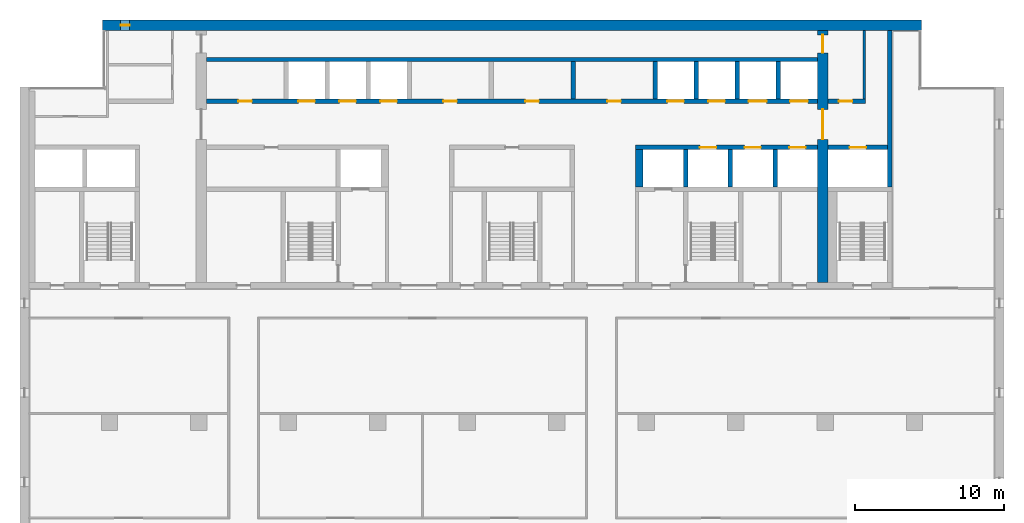
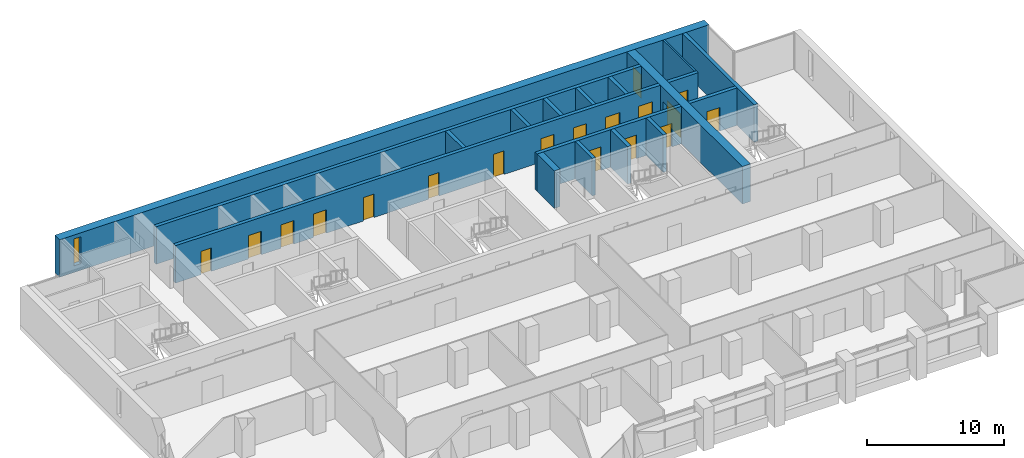
# One storey, part 11 of 17: 18 doors, 18 walls, 1 window, 19 openings.
"""IFC4 building model written with IfcOpenShell, lengths in metres."""

from ifc_helpers import new_model, si_unit, direction, frame, frame_2d, origin, place, context, subcontext, project, spatial, rectangle, extrude, material, layer, layer_set, type_object, element, fill, save


model = new_model("IFC4")

# Units and contexts
model_context = context("Model", 3, precision=1e-05, world=origin(), true_north=direction((0.0, 1.0)))
body_context = subcontext(model_context, "Body", "Model", "MODEL_VIEW")
ifc_project = project(units=[si_unit("LENGTHUNIT", "METRE"), si_unit("AREAUNIT", "SQUARE_METRE"), si_unit("VOLUMEUNIT", "CUBIC_METRE"), si_unit("PLANEANGLEUNIT", "RADIAN"), si_unit("MASSUNIT", "GRAM", prefix="KILO")], contexts=[model_context])

# Site, building, storey
site_placement = place(None, origin())
site = spatial("IfcSite", under=ifc_project, at=site_placement, CompositionType="ELEMENT")
building_placement = place(site_placement, origin())
building = spatial("IfcBuilding", under=site, at=building_placement, Name="Calvaro Tower", CompositionType="ELEMENT")
storey_placement = place(building_placement, frame((0.0, 0.0, 196.75)))
storey = spatial("IfcBuildingStorey", under=building, at=storey_placement, Name="L49", CompositionType="ELEMENT", Elevation=196.75)

# Wall
ifc_material_1 = material(Name="Blockwork partition", Category="masonry")
ifc_layer_1 = layer(ifc_material_1, 0.14990234375)
ifc_layer_set_1 = layer_set([ifc_layer_1], Name="Blockwork partition")
wall_type_1 = type_object("IfcWallType", Name="Core partition 150 REI 120", PredefinedType="PARTITIONING", material=ifc_layer_set_1)
wall_1_placement = place(storey_placement, frame((62.625, 40.699951171875, 0.0), z_axis=(0.0, 0.0, 1.0), x_axis=(0.0, 1.0, 0.0)))
element("IfcWall", 1, at=wall_1_placement, inside=storey, type_object=wall_type_1, Name="Core partition", PredefinedType="PARTITIONING", context=body_context, shape_type="SweptSolid", body=[
    extrude(rectangle(XDim=4.60009765625, YDim=0.14990234375, at=frame_2d((2.300048828125, 0.0))), origin(), (0.0, 0.0, 1.0), 3.35009765625),
])

# Wall, opening, door
ifc_material_2 = material(Name="Blockwork partition", Category="masonry")
ifc_layer_2 = layer(ifc_material_2, 0.300048828125)
ifc_layer_set_2 = layer_set([ifc_layer_2], Name="Blockwork partition")
wall_type_2 = type_object("IfcWallType", Name="Core partition 300 REI 120", PredefinedType="PARTITIONING", material=ifc_layer_set_2)
wall_2_placement = place(storey_placement, frame((60.199951171875, 40.550048828125, 0.0), z_axis=(0.0, 0.0, 1.0), x_axis=(1.0, 0.0, 0.0)))
wall_2 = element("IfcWall", 2, at=wall_2_placement, inside=storey, type_object=wall_type_2, Name="Core partition", PredefinedType="PARTITIONING", context=body_context, shape_type="SweptSolid", body=[
    extrude(rectangle(XDim=2.5, YDim=0.300048828125, at=frame_2d((1.25, 0.0))), origin(), (0.0, 0.0, 1.0), 3.35009765625),
])
opening_1_placement = place(wall_2_placement, frame((0.72509765625, 0.0, 0.0)))
opening_1 = element("IfcOpeningElement", 3, at=opening_1_placement, cuts=wall_2, Name="Opening RD9E", PredefinedType="OPENING", context=body_context, shape_type="SweptSolid", body=[
    extrude(rectangle(XDim=0.89990234375, YDim=2.10009765625, at=frame_2d((0.449951171875, 1.050048828125))), frame((0.0, 0.159912109375, 0.0), z_axis=(0.0, -1.0, 0.0), x_axis=(1.0, 0.0, 0.0)), (0.0, 0.0, 1.0), 0.320068359375),
])
ifc_material_3 = material(Name="Steel door set", Category="steel")
door_type_1 = type_object("IfcDoorType", Name="Room door 900 FD60", OperationType="SINGLE_SWING_LEFT", PredefinedType="DOOR", material=ifc_material_3)
door_1_placement = place(opening_1_placement, origin())
door_1 = element("IfcDoor", 4, at=door_1_placement, inside=storey, type_object=door_type_1, Name="Room door", OperationType="SINGLE_SWING_LEFT", OverallHeight=2.10009765625, OverallWidth=0.89990234375, PredefinedType="DOOR", context=body_context, shape_type="SweptSolid", body=[
    extrude(rectangle(XDim=0.89990234375, YDim=2.10009765625, at=frame_2d((0.449951171875, 1.050048828125))), frame((0.0, 0.02490234375, 0.0), z_axis=(0.0, -1.0, 0.0), x_axis=(1.0, 0.0, 0.0)), (0.0, 0.0, 1.0), 0.050048828125),
])
fill(opening_1, door_1)

# Walls
wall_3_placement = place(storey_placement, frame((43.10009765625, 40.699951171875, 0.0), z_axis=(0.0, 0.0, 1.0), x_axis=(0.0, 1.0, 0.0)))
element("IfcWall", 5, at=wall_3_placement, inside=storey, type_object=wall_type_2, Name="Core partition", PredefinedType="PARTITIONING", context=body_context, shape_type="SweptSolid", body=[
    extrude(rectangle(XDim=2.5, YDim=0.300048828125, at=frame_2d((1.25, 0.0))), origin(), (0.0, 0.0, 1.0), 3.35009765625),
])
ifc_material_4 = material(Name="Concrete C50/60", Category="concrete")
ifc_layer_3 = layer(ifc_material_4, 0.300048828125)
ifc_layer_set_3 = layer_set([ifc_layer_3], Name="Concrete C50/60")
wall_type_3 = type_object("IfcWallType", Name="Core wall C50/60 300", PredefinedType="SHEAR", material=ifc_layer_set_3)
wall_4_placement = place(storey_placement, frame((64.35009765625, 34.800048828125, 0.0), z_axis=(0.0, 0.0, 1.0), x_axis=(0.0, 1.0, 0.0)))
element("IfcWall", 6, at=wall_4_placement, inside=storey, type_object=wall_type_3, Name="Core wall, boundary", PredefinedType="SHEAR", context=body_context, shape_type="SweptSolid", body=[
    extrude(rectangle(XDim=10.5, YDim=0.300048828125, at=frame_2d((5.25, 0.0))), origin(), (0.0, 0.0, 1.0), 3.35009765625),
])

# Wall, openings, doors
wall_5_placement = place(storey_placement, frame((47.300048828125, 37.449951171875, 0.0), z_axis=(0.0, 0.0, 1.0), x_axis=(1.0, 0.0, 0.0)))
wall_5 = element("IfcWall", 7, at=wall_5_placement, inside=storey, type_object=wall_type_3, Name="Core wall, lift shaft", PredefinedType="SHEAR", context=body_context, shape_type="SweptSolid", body=[
    extrude(rectangle(XDim=12.199951171875, YDim=0.300048828125, at=frame_2d((6.10009765625, 0.0))), origin(), (0.0, 0.0, 1.0), 3.35009765625),
])
opening_2_placement = place(wall_5_placement, frame((4.300048828125, 0.0, 0.0)))
opening_2 = element("IfcOpeningElement", 8, at=opening_2_placement, cuts=wall_5, Name="Opening HR1", PredefinedType="OPENING", context=body_context, shape_type="SweptSolid", body=[
    extrude(rectangle(XDim=1.10009765625, YDim=2.10009765625, at=frame_2d((0.550048828125, 1.050048828125))), frame((0.0, 0.159912109375, 0.0), z_axis=(0.0, -1.0, 0.0), x_axis=(1.0, 0.0, 0.0)), (0.0, 0.0, 1.0), 0.320068359375),
])
opening_3_placement = place(wall_5_placement, frame((7.300048828125, 0.0, 0.0)))
opening_3 = element("IfcOpeningElement", 9, at=opening_3_placement, cuts=wall_5, Name="Opening HR2", PredefinedType="OPENING", context=body_context, shape_type="SweptSolid", body=[
    extrude(rectangle(XDim=1.10009765625, YDim=2.10009765625, at=frame_2d((0.550048828125, 1.050048828125))), frame((0.0, 0.159912109375, 0.0), z_axis=(0.0, -1.0, 0.0), x_axis=(1.0, 0.0, 0.0)), (0.0, 0.0, 1.0), 0.320068359375),
])
opening_4_placement = place(wall_5_placement, frame((10.300048828125, 0.0, 0.0)))
opening_4 = element("IfcOpeningElement", 10, at=opening_4_placement, cuts=wall_5, Name="Opening HR3", PredefinedType="OPENING", context=body_context, shape_type="SweptSolid", body=[
    extrude(rectangle(XDim=1.10009765625, YDim=2.10009765625, at=frame_2d((0.550048828125, 1.050048828125))), frame((0.0, 0.159912109375, 0.0), z_axis=(0.0, -1.0, 0.0), x_axis=(1.0, 0.0, 0.0)), (0.0, 0.0, 1.0), 0.320068359375),
])
ifc_material_5 = material(Name="Stainless steel", Category="steel")
door_type_2 = type_object("IfcDoorType", Name="Landing door 1100 E 60", OperationType="SLIDING_TO_LEFT", PredefinedType="DOOR", material=ifc_material_5)
door_2_placement = place(opening_2_placement, origin())
door_2 = element("IfcDoor", 11, at=door_2_placement, inside=storey, type_object=door_type_2, Name="Landing door HR1", OperationType="SLIDING_TO_LEFT", OverallHeight=2.10009765625, OverallWidth=1.10009765625, PredefinedType="DOOR", context=body_context, shape_type="SweptSolid", body=[
    extrude(rectangle(XDim=1.10009765625, YDim=2.10009765625, at=frame_2d((0.550048828125, 1.050048828125))), frame((0.0, 0.02490234375, 0.0), z_axis=(0.0, -1.0, 0.0), x_axis=(1.0, 0.0, 0.0)), (0.0, 0.0, 1.0), 0.050048828125),
])
fill(opening_2, door_2)
door_3_placement = place(opening_3_placement, origin())
door_3 = element("IfcDoor", 12, at=door_3_placement, inside=storey, type_object=door_type_2, Name="Landing door HR2", OperationType="SLIDING_TO_LEFT", OverallHeight=2.10009765625, OverallWidth=1.10009765625, PredefinedType="DOOR", context=body_context, shape_type="SweptSolid", body=[
    extrude(rectangle(XDim=1.10009765625, YDim=2.10009765625, at=frame_2d((0.550048828125, 1.050048828125))), frame((0.0, 0.02490234375, 0.0), z_axis=(0.0, -1.0, 0.0), x_axis=(1.0, 0.0, 0.0)), (0.0, 0.0, 1.0), 0.050048828125),
])
fill(opening_3, door_3)
door_4_placement = place(opening_4_placement, origin())
door_4 = element("IfcDoor", 13, at=door_4_placement, inside=storey, type_object=door_type_2, Name="Landing door HR3", OperationType="SLIDING_TO_LEFT", OverallHeight=2.10009765625, OverallWidth=1.10009765625, PredefinedType="DOOR", context=body_context, shape_type="SweptSolid", body=[
    extrude(rectangle(XDim=1.10009765625, YDim=2.10009765625, at=frame_2d((0.550048828125, 1.050048828125))), frame((0.0, 0.02490234375, 0.0), z_axis=(0.0, -1.0, 0.0), x_axis=(1.0, 0.0, 0.0)), (0.0, 0.0, 1.0), 0.050048828125),
])
fill(opening_4, door_4)

# Wall, opening, door
wall_6_placement = place(storey_placement, frame((60.199951171875, 37.449951171875, 0.0), z_axis=(0.0, 0.0, 1.0), x_axis=(1.0, 0.0, 0.0)))
wall_6 = element("IfcWall", 14, at=wall_6_placement, inside=storey, type_object=wall_type_3, Name="Core wall, lift shaft", PredefinedType="SHEAR", context=body_context, shape_type="SweptSolid", body=[
    extrude(rectangle(XDim=4.0, YDim=0.300048828125, at=frame_2d((2.0, 0.0))), origin(), (0.0, 0.0, 1.0), 3.35009765625),
])
opening_5_placement = place(wall_6_placement, frame((1.449951171875, 0.0, 0.0)))
opening_5 = element("IfcOpeningElement", 15, at=opening_5_placement, cuts=wall_6, Name="Opening FF3", PredefinedType="OPENING", context=body_context, shape_type="SweptSolid", body=[
    extrude(rectangle(XDim=1.10009765625, YDim=2.10009765625, at=frame_2d((0.550048828125, 1.050048828125))), frame((0.0, 0.159912109375, 0.0), z_axis=(0.0, -1.0, 0.0), x_axis=(1.0, 0.0, 0.0)), (0.0, 0.0, 1.0), 0.320068359375),
])
door_5_placement = place(opening_5_placement, origin())
door_5 = element("IfcDoor", 16, at=door_5_placement, inside=storey, type_object=door_type_2, Name="Landing door FF3", OperationType="SLIDING_TO_LEFT", OverallHeight=2.10009765625, OverallWidth=1.10009765625, PredefinedType="DOOR", context=body_context, shape_type="SweptSolid", body=[
    extrude(rectangle(XDim=1.10009765625, YDim=2.10009765625, at=frame_2d((0.550048828125, 1.050048828125))), frame((0.0, 0.02490234375, 0.0), z_axis=(0.0, -1.0, 0.0), x_axis=(1.0, 0.0, 0.0)), (0.0, 0.0, 1.0), 0.050048828125),
])
fill(opening_5, door_5)

# Wall
wall_7_placement = place(storey_placement, frame((50.64990234375, 34.800048828125, 0.0), z_axis=(0.0, 0.0, 1.0), x_axis=(0.0, 1.0, 0.0)))
element("IfcWall", 17, at=wall_7_placement, inside=storey, type_object=wall_type_3, Name="Core wall, lift shaft", PredefinedType="SHEAR", context=body_context, shape_type="SweptSolid", body=[
    extrude(rectangle(XDim=2.5, YDim=0.300048828125, at=frame_2d((1.25, 0.0))), origin(), (0.0, 0.0, 1.0), 3.35009765625),
])

# Wall, openings, doors
wall_8_placement = place(storey_placement, frame((18.5, 40.550048828125, 0.0), z_axis=(0.0, 0.0, 1.0), x_axis=(1.0, 0.0, 0.0)))
wall_8 = element("IfcWall", 18, at=wall_8_placement, inside=storey, type_object=wall_type_3, Name="Core wall, bay", PredefinedType="SHEAR", context=body_context, shape_type="SweptSolid", body=[
    extrude(rectangle(XDim=41.0, YDim=0.300048828125, at=frame_2d((20.5, 0.0))), origin(), (0.0, 0.0, 1.0), 3.35009765625),
])
opening_6_placement = place(wall_8_placement, frame((2.14990234375, 0.0, 0.0)))
opening_6 = element("IfcOpeningElement", 19, at=opening_6_placement, cuts=wall_8, Name="Opening RD9E", PredefinedType="OPENING", context=body_context, shape_type="SweptSolid", body=[
    extrude(rectangle(XDim=0.89990234375, YDim=2.10009765625, at=frame_2d((0.449951171875, 1.050048828125))), frame((0.0, 0.159912109375, 0.0), z_axis=(0.0, -1.0, 0.0), x_axis=(1.0, 0.0, 0.0)), (0.0, 0.0, 1.0), 0.320068359375),
])
opening_7_placement = place(wall_8_placement, frame((15.89990234375, 0.0, 0.0)))
opening_7 = element("IfcOpeningElement", 20, at=opening_7_placement, cuts=wall_8, Name="Opening RD9E", PredefinedType="OPENING", context=body_context, shape_type="SweptSolid", body=[
    extrude(rectangle(XDim=0.89990234375, YDim=2.10009765625, at=frame_2d((0.449951171875, 1.050048828125))), frame((0.0, 0.159912109375, 0.0), z_axis=(0.0, -1.0, 0.0), x_axis=(1.0, 0.0, 0.0)), (0.0, 0.0, 1.0), 0.320068359375),
])
opening_8_placement = place(wall_8_placement, frame((21.39990234375, 0.0, 0.0)))
opening_8 = element("IfcOpeningElement", 21, at=opening_8_placement, cuts=wall_8, Name="Opening RD9E", PredefinedType="OPENING", context=body_context, shape_type="SweptSolid", body=[
    extrude(rectangle(XDim=0.89990234375, YDim=2.10009765625, at=frame_2d((0.449951171875, 1.050048828125))), frame((0.0, 0.159912109375, 0.0), z_axis=(0.0, -1.0, 0.0), x_axis=(1.0, 0.0, 0.0)), (0.0, 0.0, 1.0), 0.320068359375),
])
opening_9_placement = place(wall_8_placement, frame((26.89990234375, 0.0, 0.0)))
opening_9 = element("IfcOpeningElement", 22, at=opening_9_placement, cuts=wall_8, Name="Opening RD9E", PredefinedType="OPENING", context=body_context, shape_type="SweptSolid", body=[
    extrude(rectangle(XDim=0.89990234375, YDim=2.10009765625, at=frame_2d((0.449951171875, 1.050048828125))), frame((0.0, 0.159912109375, 0.0), z_axis=(0.0, -1.0, 0.0), x_axis=(1.0, 0.0, 0.0)), (0.0, 0.0, 1.0), 0.320068359375),
])
opening_10_placement = place(wall_8_placement, frame((6.175048828125, 0.0, 0.0)))
opening_10 = element("IfcOpeningElement", 23, at=opening_10_placement, cuts=wall_8, Name="Opening HR4", PredefinedType="OPENING", context=body_context, shape_type="SweptSolid", body=[
    extrude(rectangle(XDim=1.10009765625, YDim=2.10009765625, at=frame_2d((0.550048828125, 1.050048828125))), frame((0.0, 0.159912109375, 0.0), z_axis=(0.0, -1.0, 0.0), x_axis=(1.0, 0.0, 0.0)), (0.0, 0.0, 1.0), 0.320068359375),
])
opening_11_placement = place(wall_8_placement, frame((8.925048828125, 0.0, 0.0)))
opening_11 = element("IfcOpeningElement", 24, at=opening_11_placement, cuts=wall_8, Name="Opening HR5", PredefinedType="OPENING", context=body_context, shape_type="SweptSolid", body=[
    extrude(rectangle(XDim=1.10009765625, YDim=2.10009765625, at=frame_2d((0.550048828125, 1.050048828125))), frame((0.0, 0.159912109375, 0.0), z_axis=(0.0, -1.0, 0.0), x_axis=(1.0, 0.0, 0.0)), (0.0, 0.0, 1.0), 0.320068359375),
])
opening_12_placement = place(wall_8_placement, frame((11.675048828125, 0.0, 0.0)))
opening_12 = element("IfcOpeningElement", 25, at=opening_12_placement, cuts=wall_8, Name="Opening HR6", PredefinedType="OPENING", context=body_context, shape_type="SweptSolid", body=[
    extrude(rectangle(XDim=1.10009765625, YDim=2.10009765625, at=frame_2d((0.550048828125, 1.050048828125))), frame((0.0, 0.159912109375, 0.0), z_axis=(0.0, -1.0, 0.0), x_axis=(1.0, 0.0, 0.0)), (0.0, 0.0, 1.0), 0.320068359375),
])
opening_13_placement = place(wall_8_placement, frame((30.925048828125, 0.0, 0.0)))
opening_13 = element("IfcOpeningElement", 26, at=opening_13_placement, cuts=wall_8, Name="Opening HR7", PredefinedType="OPENING", context=body_context, shape_type="SweptSolid", body=[
    extrude(rectangle(XDim=1.10009765625, YDim=2.10009765625, at=frame_2d((0.550048828125, 1.050048828125))), frame((0.0, 0.159912109375, 0.0), z_axis=(0.0, -1.0, 0.0), x_axis=(1.0, 0.0, 0.0)), (0.0, 0.0, 1.0), 0.320068359375),
])
opening_14_placement = place(wall_8_placement, frame((33.675048828125, 0.0, 0.0)))
opening_14 = element("IfcOpeningElement", 27, at=opening_14_placement, cuts=wall_8, Name="Opening HR8", PredefinedType="OPENING", context=body_context, shape_type="SweptSolid", body=[
    extrude(rectangle(XDim=1.10009765625, YDim=2.10009765625, at=frame_2d((0.550048828125, 1.050048828125))), frame((0.0, 0.159912109375, 0.0), z_axis=(0.0, -1.0, 0.0), x_axis=(1.0, 0.0, 0.0)), (0.0, 0.0, 1.0), 0.320068359375),
])
opening_15_placement = place(wall_8_placement, frame((36.375, 0.0, 0.0)))
opening_15 = element("IfcOpeningElement", 28, at=opening_15_placement, cuts=wall_8, Name="Opening SV1", PredefinedType="OPENING", context=body_context, shape_type="SweptSolid", body=[
    extrude(rectangle(XDim=1.199951171875, YDim=2.10009765625, at=frame_2d((0.60009765625, 1.050048828125))), frame((0.0, 0.159912109375, 0.0), z_axis=(0.0, -1.0, 0.0), x_axis=(1.0, 0.0, 0.0)), (0.0, 0.0, 1.0), 0.320068359375),
])
opening_16_placement = place(wall_8_placement, frame((39.14990234375, 0.0, 0.0)))
opening_16 = element("IfcOpeningElement", 29, at=opening_16_placement, cuts=wall_8, Name="Opening SV2", PredefinedType="OPENING", context=body_context, shape_type="SweptSolid", body=[
    extrude(rectangle(XDim=1.199951171875, YDim=2.10009765625, at=frame_2d((0.60009765625, 1.050048828125))), frame((0.0, 0.159912109375, 0.0), z_axis=(0.0, -1.0, 0.0), x_axis=(1.0, 0.0, 0.0)), (0.0, 0.0, 1.0), 0.320068359375),
])
door_6_placement = place(opening_10_placement, origin())
door_6 = element("IfcDoor", 30, at=door_6_placement, inside=storey, type_object=door_type_2, Name="Landing door HR4", OperationType="SLIDING_TO_LEFT", OverallHeight=2.10009765625, OverallWidth=1.10009765625, PredefinedType="DOOR", context=body_context, shape_type="SweptSolid", body=[
    extrude(rectangle(XDim=1.10009765625, YDim=2.10009765625, at=frame_2d((0.550048828125, 1.050048828125))), frame((0.0, 0.02490234375, 0.0), z_axis=(0.0, -1.0, 0.0), x_axis=(1.0, 0.0, 0.0)), (0.0, 0.0, 1.0), 0.050048828125),
])
fill(opening_10, door_6)
door_7_placement = place(opening_11_placement, origin())
door_7 = element("IfcDoor", 31, at=door_7_placement, inside=storey, type_object=door_type_2, Name="Landing door HR5", OperationType="SLIDING_TO_LEFT", OverallHeight=2.10009765625, OverallWidth=1.10009765625, PredefinedType="DOOR", context=body_context, shape_type="SweptSolid", body=[
    extrude(rectangle(XDim=1.10009765625, YDim=2.10009765625, at=frame_2d((0.550048828125, 1.050048828125))), frame((0.0, 0.02490234375, 0.0), z_axis=(0.0, -1.0, 0.0), x_axis=(1.0, 0.0, 0.0)), (0.0, 0.0, 1.0), 0.050048828125),
])
fill(opening_11, door_7)
door_8_placement = place(opening_12_placement, origin())
door_8 = element("IfcDoor", 32, at=door_8_placement, inside=storey, type_object=door_type_2, Name="Landing door HR6", OperationType="SLIDING_TO_LEFT", OverallHeight=2.10009765625, OverallWidth=1.10009765625, PredefinedType="DOOR", context=body_context, shape_type="SweptSolid", body=[
    extrude(rectangle(XDim=1.10009765625, YDim=2.10009765625, at=frame_2d((0.550048828125, 1.050048828125))), frame((0.0, 0.02490234375, 0.0), z_axis=(0.0, -1.0, 0.0), x_axis=(1.0, 0.0, 0.0)), (0.0, 0.0, 1.0), 0.050048828125),
])
fill(opening_12, door_8)
door_9_placement = place(opening_13_placement, origin())
door_9 = element("IfcDoor", 33, at=door_9_placement, inside=storey, type_object=door_type_2, Name="Landing door HR7", OperationType="SLIDING_TO_LEFT", OverallHeight=2.10009765625, OverallWidth=1.10009765625, PredefinedType="DOOR", context=body_context, shape_type="SweptSolid", body=[
    extrude(rectangle(XDim=1.10009765625, YDim=2.10009765625, at=frame_2d((0.550048828125, 1.050048828125))), frame((0.0, 0.02490234375, 0.0), z_axis=(0.0, -1.0, 0.0), x_axis=(1.0, 0.0, 0.0)), (0.0, 0.0, 1.0), 0.050048828125),
])
fill(opening_13, door_9)
door_10_placement = place(opening_14_placement, origin())
door_10 = element("IfcDoor", 34, at=door_10_placement, inside=storey, type_object=door_type_2, Name="Landing door HR8", OperationType="SLIDING_TO_LEFT", OverallHeight=2.10009765625, OverallWidth=1.10009765625, PredefinedType="DOOR", context=body_context, shape_type="SweptSolid", body=[
    extrude(rectangle(XDim=1.10009765625, YDim=2.10009765625, at=frame_2d((0.550048828125, 1.050048828125))), frame((0.0, 0.02490234375, 0.0), z_axis=(0.0, -1.0, 0.0), x_axis=(1.0, 0.0, 0.0)), (0.0, 0.0, 1.0), 0.050048828125),
])
fill(opening_14, door_10)
ifc_material_6 = material(Name="Stainless steel", Category="steel")
door_type_3 = type_object("IfcDoorType", Name="Landing door 1200 E 60", OperationType="SLIDING_TO_LEFT", PredefinedType="DOOR", material=ifc_material_6)
door_11_placement = place(opening_15_placement, origin())
door_11 = element("IfcDoor", 35, at=door_11_placement, inside=storey, type_object=door_type_3, Name="Landing door SV1", OperationType="SLIDING_TO_LEFT", OverallHeight=2.10009765625, OverallWidth=1.199951171875, PredefinedType="DOOR", context=body_context, shape_type="SweptSolid", body=[
    extrude(rectangle(XDim=1.199951171875, YDim=2.10009765625, at=frame_2d((0.60009765625, 1.050048828125))), frame((0.0, 0.02490234375, 0.0), z_axis=(0.0, -1.0, 0.0), x_axis=(1.0, 0.0, 0.0)), (0.0, 0.0, 1.0), 0.050048828125),
])
fill(opening_15, door_11)
door_12_placement = place(opening_16_placement, origin())
door_12 = element("IfcDoor", 36, at=door_12_placement, inside=storey, type_object=door_type_3, Name="Landing door SV2", OperationType="SLIDING_TO_LEFT", OverallHeight=2.10009765625, OverallWidth=1.199951171875, PredefinedType="DOOR", context=body_context, shape_type="SweptSolid", body=[
    extrude(rectangle(XDim=1.199951171875, YDim=2.10009765625, at=frame_2d((0.60009765625, 1.050048828125))), frame((0.0, 0.02490234375, 0.0), z_axis=(0.0, -1.0, 0.0), x_axis=(1.0, 0.0, 0.0)), (0.0, 0.0, 1.0), 0.050048828125),
])
fill(opening_16, door_12)
door_13_placement = place(opening_6_placement, origin())
door_13 = element("IfcDoor", 37, at=door_13_placement, inside=storey, type_object=door_type_1, Name="Room door", OperationType="SINGLE_SWING_RIGHT", OverallHeight=2.10009765625, OverallWidth=0.89990234375, PredefinedType="DOOR", context=body_context, shape_type="SweptSolid", body=[
    extrude(rectangle(XDim=0.89990234375, YDim=2.10009765625, at=frame_2d((0.449951171875, 1.050048828125))), frame((0.0, 0.02490234375, 0.0), z_axis=(0.0, -1.0, 0.0), x_axis=(1.0, 0.0, 0.0)), (0.0, 0.0, 1.0), 0.050048828125),
])
fill(opening_6, door_13)
door_14_placement = place(opening_7_placement, origin())
door_14 = element("IfcDoor", 38, at=door_14_placement, inside=storey, type_object=door_type_1, Name="Room door", OperationType="SINGLE_SWING_LEFT", OverallHeight=2.10009765625, OverallWidth=0.89990234375, PredefinedType="DOOR", context=body_context, shape_type="SweptSolid", body=[
    extrude(rectangle(XDim=0.89990234375, YDim=2.10009765625, at=frame_2d((0.449951171875, 1.050048828125))), frame((0.0, 0.02490234375, 0.0), z_axis=(0.0, -1.0, 0.0), x_axis=(1.0, 0.0, 0.0)), (0.0, 0.0, 1.0), 0.050048828125),
])
fill(opening_7, door_14)
door_15_placement = place(opening_8_placement, origin())
door_15 = element("IfcDoor", 39, at=door_15_placement, inside=storey, type_object=door_type_1, Name="Room door", OperationType="SINGLE_SWING_LEFT", OverallHeight=2.10009765625, OverallWidth=0.89990234375, PredefinedType="DOOR", context=body_context, shape_type="SweptSolid", body=[
    extrude(rectangle(XDim=0.89990234375, YDim=2.10009765625, at=frame_2d((0.449951171875, 1.050048828125))), frame((0.0, 0.02490234375, 0.0), z_axis=(0.0, -1.0, 0.0), x_axis=(1.0, 0.0, 0.0)), (0.0, 0.0, 1.0), 0.050048828125),
])
fill(opening_8, door_15)
door_16_placement = place(opening_9_placement, origin())
door_16 = element("IfcDoor", 40, at=door_16_placement, inside=storey, type_object=door_type_1, Name="Room door", OperationType="SINGLE_SWING_LEFT", OverallHeight=2.10009765625, OverallWidth=0.89990234375, PredefinedType="DOOR", context=body_context, shape_type="SweptSolid", body=[
    extrude(rectangle(XDim=0.89990234375, YDim=2.10009765625, at=frame_2d((0.449951171875, 1.050048828125))), frame((0.0, 0.02490234375, 0.0), z_axis=(0.0, -1.0, 0.0), x_axis=(1.0, 0.0, 0.0)), (0.0, 0.0, 1.0), 0.050048828125),
])
fill(opening_9, door_16)

# Walls
wall_9_placement = place(storey_placement, frame((18.5, 43.35009765625, 0.0), z_axis=(0.0, 0.0, 1.0), x_axis=(1.0, 0.0, 0.0)))
element("IfcWall", 41, at=wall_9_placement, inside=storey, type_object=wall_type_3, Name="Core wall, lift shaft", PredefinedType="SHEAR", context=body_context, shape_type="SweptSolid", body=[
    extrude(rectangle(XDim=41.0, YDim=0.300048828125, at=frame_2d((20.5, 0.0))), origin(), (0.0, 0.0, 1.0), 3.35009765625),
])
for number, where, z_axis, x_axis, name in (
    (42, (53.64990234375, 34.800048828125, 0.0), (0.0, 0.0, 1.0), (0.0, 1.0, 0.0), "Core wall, lift shaft"),
    (43, (56.64990234375, 34.800048828125, 0.0), (0.0, 0.0, 1.0), (0.0, 1.0, 0.0), "Core wall, lift shaft"),
    (44, (48.60009765625, 40.699951171875, 0.0), (0.0, 0.0, 1.0), (0.0, 1.0, 0.0), "Core wall, lift shaft"),
    (45, (51.35009765625, 40.699951171875, 0.0), (0.0, 0.0, 1.0), (0.0, 1.0, 0.0), "Core wall, lift shaft"),
    (46, (54.10009765625, 40.699951171875, 0.0), (0.0, 0.0, 1.0), (0.0, 1.0, 0.0), "Core wall, lift shaft"),
    (47, (56.85009765625, 40.699951171875, 0.0), (0.0, 0.0, 1.0), (0.0, 1.0, 0.0), "Core wall, lift shaft"),
):
    element("IfcWall", number, at=place(storey_placement, frame(where, z_axis=z_axis, x_axis=x_axis)), inside=storey, type_object=wall_type_3, Name=name, PredefinedType="SHEAR", context=body_context, shape_type="SweptSolid", body=[
        extrude(rectangle(XDim=2.5, YDim=0.300048828125, at=frame_2d((1.25, 0.0))), origin(), (0.0, 0.0, 1.0), 3.35009765625),
    ])
ifc_material_7 = material(Name="Concrete C50/60", Category="concrete")
ifc_layer_4 = layer(ifc_material_7, 0.5)
ifc_layer_set_4 = layer_set([ifc_layer_4], Name="Concrete C50/60")
wall_type_4 = type_object("IfcWallType", Name="Core wall C50/60 500", PredefinedType="SHEAR", material=ifc_layer_set_4)
wall_10_placement = place(storey_placement, frame((47.550048828125, 34.800048828125, 0.0), z_axis=(0.0, 0.0, 1.0), x_axis=(0.0, 1.0, 0.0)))
element("IfcWall", 48, at=wall_10_placement, inside=storey, type_object=wall_type_4, Name="Core wall, lift shaft", PredefinedType="SHEAR", context=body_context, shape_type="SweptSolid", body=[
    extrude(rectangle(XDim=2.5, YDim=0.5, at=frame_2d((1.25, 0.0))), origin(), (0.0, 0.0, 1.0), 3.35009765625),
])

# Wall, openings, doors
ifc_material_8 = material(Name="Concrete C50/60", Category="concrete")
ifc_layer_5 = layer(ifc_material_8, 0.699951171875)
ifc_layer_set_5 = layer_set([ifc_layer_5], Name="Concrete C50/60")
wall_type_5 = type_object("IfcWallType", Name="Core wall C50/60 700", PredefinedType="SHEAR", material=ifc_layer_set_5)
wall_11_placement = place(storey_placement, frame((59.85009765625, 28.39990234375, 0.0), z_axis=(0.0, 0.0, 1.0), x_axis=(0.0, 1.0, 0.0)))
wall_11 = element("IfcWall", 49, at=wall_11_placement, inside=storey, type_object=wall_type_5, Name="Core wall, cross shear wall", PredefinedType="SHEAR", context=body_context, shape_type="SweptSolid", body=[
    extrude(rectangle(XDim=16.900146484375, YDim=0.699951171875, at=frame_2d((8.4501953125, 0.0))), origin(), (0.0, 0.0, 1.0), 3.35009765625),
])
opening_17_placement = place(wall_11_placement, frame((9.60009765625, 0.0, 0.0)))
opening_17 = element("IfcOpeningElement", 50, at=opening_17_placement, cuts=wall_11, Name="Opening DD20D", PredefinedType="OPENING", context=body_context, shape_type="SweptSolid", body=[
    extrude(rectangle(XDim=2.0, YDim=2.10009765625, at=frame_2d((1.0, 1.050048828125))), frame((0.0, 0.35986328125, 0.0), z_axis=(0.0, -1.0, 0.0), x_axis=(1.0, 0.0, 0.0)), (0.0, 0.0, 1.0), 0.719970703125),
])
opening_18_placement = place(wall_11_placement, frame((15.39990234375, 0.0, 0.0)))
opening_18 = element("IfcOpeningElement", 51, at=opening_18_placement, cuts=wall_11, Name="Opening FD12C", PredefinedType="OPENING", context=body_context, shape_type="SweptSolid", body=[
    extrude(rectangle(XDim=1.199951171875, YDim=2.10009765625, at=frame_2d((0.60009765625, 1.050048828125))), frame((0.0, 0.35986328125, 0.0), z_axis=(0.0, -1.0, 0.0), x_axis=(1.0, 0.0, 0.0)), (0.0, 0.0, 1.0), 0.719970703125),
])
ifc_material_9 = material(Name="Steel door set", Category="steel")
door_type_4 = type_object("IfcDoorType", Name="Fire door 1200 FD30", OperationType="SINGLE_SWING_LEFT", PredefinedType="DOOR", material=ifc_material_9)
door_17_placement = place(opening_18_placement, origin())
door_17 = element("IfcDoor", 52, at=door_17_placement, inside=storey, type_object=door_type_4, Name="Fire door", OperationType="SINGLE_SWING_LEFT", OverallHeight=2.10009765625, OverallWidth=1.199951171875, PredefinedType="DOOR", context=body_context, shape_type="SweptSolid", body=[
    extrude(rectangle(XDim=1.199951171875, YDim=2.10009765625, at=frame_2d((0.60009765625, 1.050048828125))), frame((0.0, 0.02490234375, 0.0), z_axis=(0.0, -1.0, 0.0), x_axis=(1.0, 0.0, 0.0)), (0.0, 0.0, 1.0), 0.050048828125),
])
fill(opening_18, door_17)
ifc_material_10 = material(Name="Steel door set", Category="steel")
door_type_5 = type_object("IfcDoorType", Name="Lobby double door 2000 FD30S", OperationType="DOUBLE_DOOR_SINGLE_SWING", PredefinedType="DOOR", material=ifc_material_10)
door_18_placement = place(opening_17_placement, origin())
door_18 = element("IfcDoor", 53, at=door_18_placement, inside=storey, type_object=door_type_5, Name="Lobby double door", OperationType="DOUBLE_DOOR_SINGLE_SWING", OverallHeight=2.10009765625, OverallWidth=2.0, PredefinedType="DOOR", context=body_context, shape_type="SweptSolid", body=[
    extrude(rectangle(XDim=2.0, YDim=2.10009765625, at=frame_2d((1.0, 1.050048828125))), frame((0.0, 0.02490234375, 0.0), z_axis=(0.0, -1.0, 0.0), x_axis=(1.0, 0.0, 0.0)), (0.0, 0.0, 1.0), 0.050048828125),
])
fill(opening_17, door_18)

# Wall, opening, window
ifc_material_11 = material(Name="Concrete C50/60", Category="concrete")
ifc_layer_6 = layer(ifc_material_11, 0.699951171875)
ifc_layer_set_6 = layer_set([ifc_layer_6], Name="Concrete C50/60")
wall_type_6 = type_object("IfcWallType", Name="Rear core wall 700 C50/60", PredefinedType="SHEAR", material=ifc_layer_set_6)
wall_12_placement = place(storey_placement, frame((11.550048828125, 45.64990234375, 0.0), z_axis=(0.0, 0.0, 1.0), x_axis=(1.0, 0.0, 0.0)))
wall_12 = element("IfcWall", 54, at=wall_12_placement, inside=storey, type_object=wall_type_6, Name="North core wall", PredefinedType="SHEAR", context=body_context, shape_type="SweptSolid", body=[
    extrude(rectangle(XDim=54.89990234375, YDim=0.699951171875, at=frame_2d((27.449951171875, 0.0))), origin(), (0.0, 0.0, 1.0), 3.35009765625),
])
opening_19_placement = place(wall_12_placement, frame((1.199951171875, 0.0, 0.60009765625)))
opening_19 = element("IfcOpeningElement", 55, at=opening_19_placement, cuts=wall_12, Name="Opening WN01", PredefinedType="OPENING", context=body_context, shape_type="SweptSolid", body=[
    extrude(rectangle(XDim=0.60009765625, YDim=2.39990234375, at=frame_2d((0.300048828125, 1.199951171875))), frame((0.0, 0.35986328125, 0.0), z_axis=(0.0, -1.0, 0.0), x_axis=(1.0, 0.0, 0.0)), (0.0, 0.0, 1.0), 0.719970703125),
])
ifc_material_12 = material(Name="Glass", Category="glass")
window_type = type_object("IfcWindowType", Name="Slit window 600 x 2400", PartitioningType="SINGLE_PANEL", PredefinedType="WINDOW", material=ifc_material_12)
window_placement = place(opening_19_placement, origin())
window = element("IfcWindow", 56, at=window_placement, inside=storey, type_object=window_type, Name="Window WN01", OverallHeight=2.39990234375, OverallWidth=0.60009765625, PartitioningType="SINGLE_PANEL", PredefinedType="WINDOW", context=body_context, shape_type="SweptSolid", body=[
    extrude(rectangle(XDim=0.60009765625, YDim=2.39990234375, at=frame_2d((0.300048828125, 1.199951171875))), frame((0.0, 0.030029296875, 0.0), z_axis=(0.0, -1.0, 0.0), x_axis=(1.0, 0.0, 0.0)), (0.0, 0.0, 1.0), 0.06005859375),
])
fill(opening_19, window)

save(model, "model.ifc")
